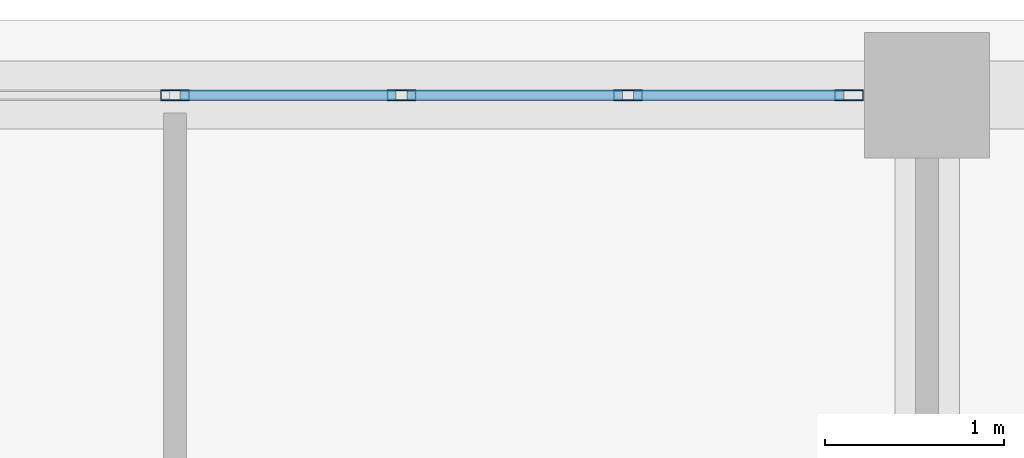
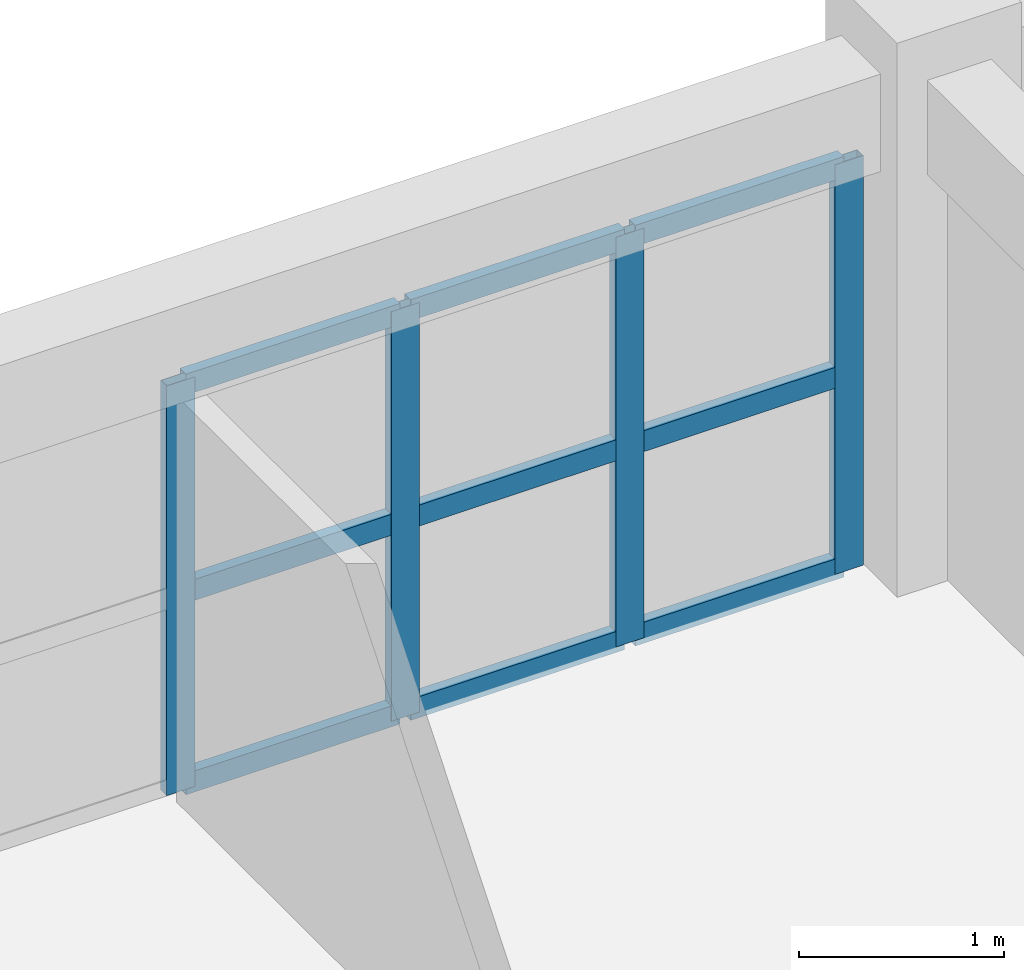
# One storey, part 86 of 148: 13 members, 1 element without a shape of its own.
"""IFC4 building model written with IfcOpenShell, lengths in metres."""

from ifc_helpers import new_model, si_unit, direction, frame, origin, origin_2d, place, context, subcontext, project, spatial, hollow_rectangle, extrude, material, layer, layer_set, material_profile, profile_set, type_object, element, aggregate, save


model = new_model("IFC4")

# Units and contexts
model_context = context("Model", 3, precision=1e-05, world=origin(), true_north=direction((0.0, 1.0)))
body_context = subcontext(model_context, "Body", "Model", "MODEL_VIEW")
ifc_project = project(units=[si_unit("LENGTHUNIT", "METRE"), si_unit("AREAUNIT", "SQUARE_METRE"), si_unit("VOLUMEUNIT", "CUBIC_METRE"), si_unit("PLANEANGLEUNIT", "RADIAN"), si_unit("MASSUNIT", "GRAM", prefix="KILO")], contexts=[model_context])

# Site, building, storey
site_placement = place(None, origin())
site = spatial("IfcSite", under=ifc_project, at=site_placement, CompositionType="ELEMENT")
building_placement = place(site_placement, origin())
building = spatial("IfcBuilding", under=site, at=building_placement, Name="Trelvath General Hospital", CompositionType="ELEMENT")
storey_placement = place(building_placement, frame((0.0, 0.0, 12.89990234375)))
storey = spatial("IfcBuildingStorey", under=building, at=storey_placement, Name="L03", CompositionType="ELEMENT", Elevation=12.89990234375)

# Curtain wall, members
ifc_material_1 = material(Name="Anodised aluminium and low-E glass", Category="aluminium")
ifc_layer = layer(ifc_material_1, 0.159912109375)
ifc_layer_set = layer_set([ifc_layer], Name="Anodised aluminium and low-E glass")
curtain_wall_type = type_object("IfcCurtainWallType", Name="CW Facade 759 244 16", PredefinedType="USERDEFINED", material=ifc_layer_set)
curtain_wall_placement = place(storey_placement, origin())
curtain_wall = element("IfcCurtainWall", 1, at=curtain_wall_placement, inside=storey, type_object=curtain_wall_type, Name="Facade Curtain Wall CW-061", ObjectType="Unitised Glazed Curtain Wall", PredefinedType="USERDEFINED")
ifc_material_2 = material(Name="Anodised aluminium", Category="aluminium")
ifc_material_profile_1 = material_profile(ifc_material_2, hollow_rectangle(XDim=0.06005859375, YDim=0.159912109375, WallThickness=0.00390625, at=origin_2d()), Name="RHS60x160x4")
ifc_profile_set_1 = profile_set([ifc_material_profile_1], Name="Anodised aluminium")
member_type_1 = type_object("IfcMemberType", Name="CurtainMullion 60x160", PredefinedType="MULLION", material=ifc_profile_set_1)
member_1_placement = place(storey_placement, frame((96.60009765625, 117.60009765625, 0.0), z_axis=(0.0, 0.0, 1.0), x_axis=(0.0, 1.0, 0.0)))
member_1 = element("IfcMember", 2, at=member_1_placement, type_object=member_type_1, Name="CW-061 mullion 4", PredefinedType="MULLION", context=body_context, shape_type="SweptSolid", body=[
    extrude(hollow_rectangle(XDim=0.06005859375, YDim=0.159912109375, WallThickness=0.00390625, at=origin_2d()), origin(), (0.0, 0.0, 1.0), 2.440185546875),
])
member_2_placement = place(storey_placement, frame((97.864990234375, 117.60009765625, 0.0), z_axis=(0.0, 0.0, 1.0), x_axis=(0.0, 1.0, 0.0)))
member_2 = element("IfcMember", 3, at=member_2_placement, type_object=member_type_1, Name="CW-061 mullion 5", PredefinedType="MULLION", context=body_context, shape_type="SweptSolid", body=[
    extrude(hollow_rectangle(XDim=0.06005859375, YDim=0.159912109375, WallThickness=0.00390625, at=origin_2d()), origin(), (0.0, 0.0, 1.0), 2.440185546875),
])
member_3_placement = place(storey_placement, frame((99.1298828125, 117.60009765625, 0.0), z_axis=(0.0, 0.0, 1.0), x_axis=(0.0, 1.0, 0.0)))
member_3 = element("IfcMember", 4, at=member_3_placement, type_object=member_type_1, Name="CW-061 mullion 6", PredefinedType="MULLION", context=body_context, shape_type="SweptSolid", body=[
    extrude(hollow_rectangle(XDim=0.06005859375, YDim=0.159912109375, WallThickness=0.00390625, at=origin_2d()), origin(), (0.0, 0.0, 1.0), 2.440185546875),
])
member_4_placement = place(storey_placement, frame((100.364990234375, 117.60009765625, 0.0), z_axis=(0.0, 0.0, 1.0), x_axis=(0.0, 1.0, 0.0)))
member_4 = element("IfcMember", 5, at=member_4_placement, type_object=member_type_1, Name="CW-061 mullion 7", PredefinedType="MULLION", context=body_context, shape_type="SweptSolid", body=[
    extrude(hollow_rectangle(XDim=0.06005859375, YDim=0.159912109375, WallThickness=0.00390625, at=origin_2d()), origin(), (0.0, 0.0, 1.0), 2.440185546875),
])
ifc_material_3 = material(Name="Anodised aluminium", Category="aluminium")
ifc_material_profile_2 = material_profile(ifc_material_3, hollow_rectangle(XDim=0.06005859375, YDim=0.125, WallThickness=0.00390625, at=origin_2d()), Name="RHS60x125x4")
ifc_profile_set_2 = profile_set([ifc_material_profile_2], Name="Anodised aluminium")
member_type_2 = type_object("IfcMemberType", Name="CurtainTransom 60x125", PredefinedType="USERDEFINED", material=ifc_profile_set_2)
member_5_placement = place(storey_placement, frame((96.6298828125, 117.60009765625, 0.030029296875), z_axis=(1.0, 0.0, 0.0), x_axis=(0.0, 1.0, 0.0)))
member_5 = element("IfcMember", 6, at=member_5_placement, type_object=member_type_2, Name="CW-061 transom 4.1", ObjectType="TRANSOM", PredefinedType="USERDEFINED", context=body_context, shape_type="SweptSolid", body=[
    extrude(hollow_rectangle(XDim=0.06005859375, YDim=0.125, WallThickness=0.00390625, at=origin_2d()), origin(), (0.0, 0.0, 1.0), 1.205078125),
])
member_6_placement = place(storey_placement, frame((96.6298828125, 117.60009765625, 1.171142578125), z_axis=(1.0, 0.0, 0.0), x_axis=(0.0, 1.0, 0.0)))
member_6 = element("IfcMember", 7, at=member_6_placement, type_object=member_type_2, Name="CW-061 transom 4.2", ObjectType="TRANSOM", PredefinedType="USERDEFINED", context=body_context, shape_type="SweptSolid", body=[
    extrude(hollow_rectangle(XDim=0.06005859375, YDim=0.125, WallThickness=0.00390625, at=origin_2d()), origin(), (0.0, 0.0, 1.0), 1.205078125),
])
member_7_placement = place(storey_placement, frame((96.6298828125, 117.60009765625, 2.41015625), z_axis=(1.0, 0.0, 0.0), x_axis=(0.0, 1.0, 0.0)))
member_7 = element("IfcMember", 8, at=member_7_placement, type_object=member_type_2, Name="CW-061 transom 4.3", ObjectType="TRANSOM", PredefinedType="USERDEFINED", context=body_context, shape_type="SweptSolid", body=[
    extrude(hollow_rectangle(XDim=0.06005859375, YDim=0.125, WallThickness=0.00390625, at=origin_2d()), origin(), (0.0, 0.0, 1.0), 1.205078125),
])
member_8_placement = place(storey_placement, frame((97.89501953125, 117.60009765625, 0.030029296875), z_axis=(1.0, 0.0, 0.0), x_axis=(0.0, 1.0, 0.0)))
member_8 = element("IfcMember", 9, at=member_8_placement, type_object=member_type_2, Name="CW-061 transom 5.1", ObjectType="TRANSOM", PredefinedType="USERDEFINED", context=body_context, shape_type="SweptSolid", body=[
    extrude(hollow_rectangle(XDim=0.06005859375, YDim=0.125, WallThickness=0.00390625, at=origin_2d()), origin(), (0.0, 0.0, 1.0), 1.205078125),
])
member_9_placement = place(storey_placement, frame((97.89501953125, 117.60009765625, 1.171142578125), z_axis=(1.0, 0.0, 0.0), x_axis=(0.0, 1.0, 0.0)))
member_9 = element("IfcMember", 10, at=member_9_placement, type_object=member_type_2, Name="CW-061 transom 5.2", ObjectType="TRANSOM", PredefinedType="USERDEFINED", context=body_context, shape_type="SweptSolid", body=[
    extrude(hollow_rectangle(XDim=0.06005859375, YDim=0.125, WallThickness=0.00390625, at=origin_2d()), origin(), (0.0, 0.0, 1.0), 1.205078125),
])
member_10_placement = place(storey_placement, frame((97.89501953125, 117.60009765625, 2.41015625), z_axis=(1.0, 0.0, 0.0), x_axis=(0.0, 1.0, 0.0)))
member_10 = element("IfcMember", 11, at=member_10_placement, type_object=member_type_2, Name="CW-061 transom 5.3", ObjectType="TRANSOM", PredefinedType="USERDEFINED", context=body_context, shape_type="SweptSolid", body=[
    extrude(hollow_rectangle(XDim=0.06005859375, YDim=0.125, WallThickness=0.00390625, at=origin_2d()), origin(), (0.0, 0.0, 1.0), 1.205078125),
])
member_11_placement = place(storey_placement, frame((99.159912109375, 117.60009765625, 0.030029296875), z_axis=(1.0, 0.0, 0.0), x_axis=(0.0, 1.0, 0.0)))
member_11 = element("IfcMember", 12, at=member_11_placement, type_object=member_type_2, Name="CW-061 transom 6.1", ObjectType="TRANSOM", PredefinedType="USERDEFINED", context=body_context, shape_type="SweptSolid", body=[
    extrude(hollow_rectangle(XDim=0.06005859375, YDim=0.125, WallThickness=0.00390625, at=origin_2d()), origin(), (0.0, 0.0, 1.0), 1.175048828125),
])
member_12_placement = place(storey_placement, frame((99.159912109375, 117.60009765625, 1.171142578125), z_axis=(1.0, 0.0, 0.0), x_axis=(0.0, 1.0, 0.0)))
member_12 = element("IfcMember", 13, at=member_12_placement, type_object=member_type_2, Name="CW-061 transom 6.2", ObjectType="TRANSOM", PredefinedType="USERDEFINED", context=body_context, shape_type="SweptSolid", body=[
    extrude(hollow_rectangle(XDim=0.06005859375, YDim=0.125, WallThickness=0.00390625, at=origin_2d()), origin(), (0.0, 0.0, 1.0), 1.175048828125),
])
member_13_placement = place(storey_placement, frame((99.159912109375, 117.60009765625, 2.41015625), z_axis=(1.0, 0.0, 0.0), x_axis=(0.0, 1.0, 0.0)))
member_13 = element("IfcMember", 14, at=member_13_placement, type_object=member_type_2, Name="CW-061 transom 6.3", ObjectType="TRANSOM", PredefinedType="USERDEFINED", context=body_context, shape_type="SweptSolid", body=[
    extrude(hollow_rectangle(XDim=0.06005859375, YDim=0.125, WallThickness=0.00390625, at=origin_2d()), origin(), (0.0, 0.0, 1.0), 1.175048828125),
])
aggregate(curtain_wall, [member_1, member_2, member_3, member_4, member_5, member_6, member_7, member_8, member_9, member_10, member_11, member_12, member_13])

save(model, "model.ifc")
